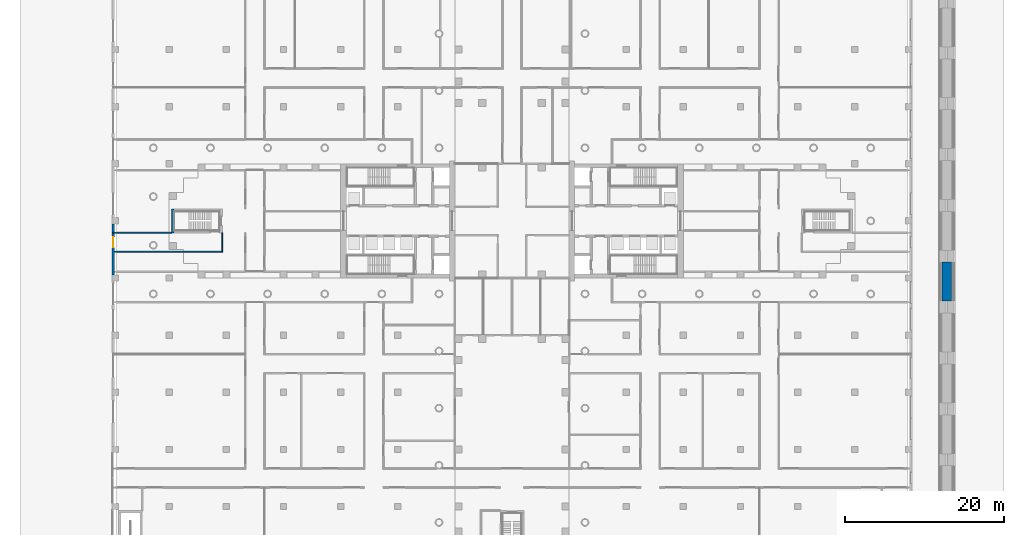
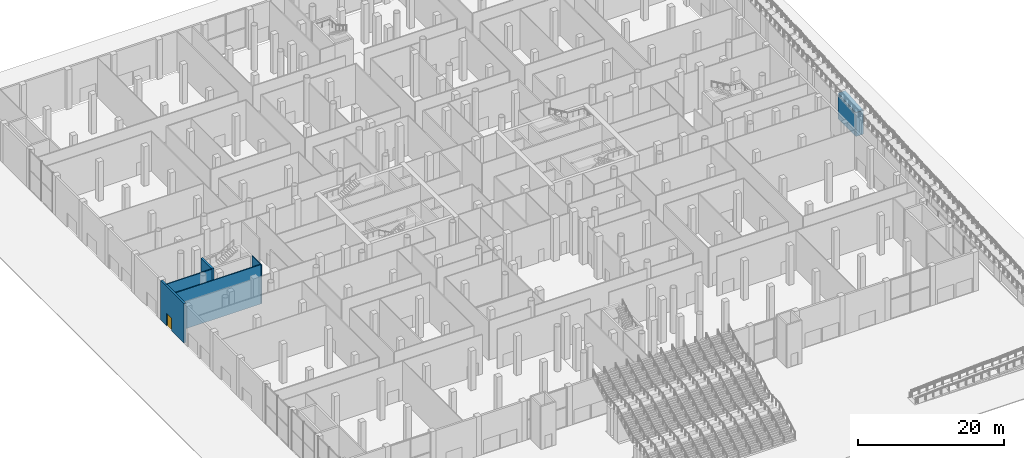
# One storey, part 21 of 44: 6 walls, 1 door, 1 opening.
"""IFC4 building model written with IfcOpenShell, lengths in metres."""

from ifc_helpers import new_model, si_unit, direction, frame, frame_2d, origin, place, context, subcontext, project, spatial, polyline, rectangle, outline, extrude, material, layer, layer_set, type_object, element, fill, save


model = new_model("IFC4")

# Units and contexts
model_context = context("Model", 3, precision=1e-05, world=origin(), true_north=direction((0.0, 1.0)))
body_context = subcontext(model_context, "Body", "Model", "MODEL_VIEW")
ifc_project = project(units=[si_unit("LENGTHUNIT", "METRE"), si_unit("AREAUNIT", "SQUARE_METRE"), si_unit("VOLUMEUNIT", "CUBIC_METRE"), si_unit("PLANEANGLEUNIT", "RADIAN"), si_unit("MASSUNIT", "GRAM", prefix="KILO")], contexts=[model_context])

# Site, building, storey
site_placement = place(None, origin())
site = spatial("IfcSite", under=ifc_project, at=site_placement, CompositionType="ELEMENT")
building_placement = place(site_placement, origin())
building = spatial("IfcBuilding", under=site, at=building_placement, Name="Fustian Cross Tower", CompositionType="ELEMENT")
storey_placement = place(building_placement, origin())
storey = spatial("IfcBuildingStorey", under=building, at=storey_placement, Name="L00", CompositionType="ELEMENT", Elevation=0.0)

# Walls
ifc_material_1 = material(Name="Plasterboard on steel stud", Category="steel")
ifc_layer_1 = layer(ifc_material_1, 0.14990234375)
ifc_layer_set_1 = layer_set([ifc_layer_1], Name="Plasterboard on steel stud")
wall_type_1 = type_object("IfcWallType", Name="COMPARTMENT WALL 150 EI 60", PredefinedType="PARTITIONING", material=ifc_layer_set_1)
wall_1_placement = place(storey_placement, frame((-50.219970703125, -3.89990234375, 0.0), z_axis=(0.0, 0.0, 1.0), x_axis=(1.0, 0.0, 0.0)))
element("IfcWall", 1, at=wall_1_placement, inside=storey, type_object=wall_type_1, Name="Partition 6", PredefinedType="PARTITIONING", context=body_context, shape_type="SweptSolid", body=[
    extrude(rectangle(XDim=13.64501953125, YDim=0.14990234375, at=frame_2d((6.822509765625, 0.0))), origin(), (0.0, 0.0, 1.0), 6.60009765625),
])
wall_2_placement = place(storey_placement, frame((-50.219970703125, -1.5, 0.0), z_axis=(0.0, 0.0, 1.0), x_axis=(1.0, 0.0, 0.0)))
element("IfcWall", 2, at=wall_2_placement, inside=storey, type_object=wall_type_1, Name="Partition 7", PredefinedType="PARTITIONING", context=body_context, shape_type="SweptSolid", body=[
    extrude(rectangle(XDim=7.320068359375, YDim=0.14990234375, at=frame_2d((3.66015625, 0.0))), origin(), (0.0, 0.0, 1.0), 6.60009765625),
])
wall_3_placement = place(storey_placement, frame((-36.5, -3.97509765625, 0.0), z_axis=(0.0, 0.0, 1.0), x_axis=(0.0, 1.0, 0.0)))
element("IfcWall", 3, at=wall_3_placement, inside=storey, type_object=wall_type_1, Name="Partition 17", PredefinedType="PARTITIONING", context=body_context, shape_type="SweptSolid", body=[
    extrude(rectangle(XDim=2.47509765625, YDim=0.14990234375, at=frame_2d((1.237548828125, 0.0))), origin(), (0.0, 0.0, 1.0), 6.60009765625),
])

# Wall, opening, door
ifc_material_2 = material(Name="Dark rainscreen cladding on blockwork", Category="masonry")
ifc_layer_2 = layer(ifc_material_2, 0.300048828125)
ifc_layer_set_2 = layer_set([ifc_layer_2], Name="Dark rainscreen cladding on blockwork")
wall_type_2 = type_object("IfcWallType", Name="EXTERNAL WALL 300 CLADDING", PredefinedType="SOLIDWALL", material=ifc_layer_set_2)
wall_4_placement = place(storey_placement, frame((-50.25, -0.39990234375, 0.0), z_axis=(0.0, 0.0, 1.0), x_axis=(0.0, -1.0, 0.0)))
wall_4 = element("IfcWall", 4, at=wall_4_placement, inside=storey, type_object=wall_type_2, Name="External wall W8", PredefinedType="SOLIDWALL", context=body_context, shape_type="SweptSolid", body=[
    extrude(rectangle(XDim=6.400146484375, YDim=0.300048828125, at=frame_2d((3.2001953125, 0.0))), origin(), (0.0, 0.0, 1.0), 6.60009765625),
])
opening_placement = place(wall_4_placement, frame((1.64990234375, 0.0, 0.0)))
opening = element("IfcOpeningElement", 5, at=opening_placement, cuts=wall_4, Name="Opening EDP49", PredefinedType="OPENING", context=body_context, shape_type="SweptSolid", body=[
    extrude(rectangle(XDim=1.300048828125, YDim=2.10009765625, at=frame_2d((0.64990234375, 1.050048828125))), frame((0.0, 0.159912109375, 0.0), z_axis=(0.0, -1.0, 0.0), x_axis=(1.0, 0.0, 0.0)), (0.0, 0.0, 1.0), 0.320068359375),
])
ifc_material_3 = material(Name="Aluminium and glass", Category="aluminium")
door_type = type_object("IfcDoorType", Name="EXIT DOOR 1300", OperationType="SINGLE_SWING_LEFT", PredefinedType="DOOR", material=ifc_material_3)
door_placement = place(opening_placement, frame((1.300048828125, 0.0, 0.0), z_axis=(0.0, 0.0, 1.0), x_axis=(-1.0, 0.0, 0.0)))
door = element("IfcDoor", 6, at=door_placement, inside=storey, type_object=door_type, Name="Exit door 49", OperationType="SINGLE_SWING_LEFT", OverallHeight=2.10009765625, OverallWidth=1.300048828125, PredefinedType="DOOR", context=body_context, shape_type="SweptSolid", body=[
    extrude(rectangle(XDim=1.300048828125, YDim=2.10009765625, at=frame_2d((0.64990234375, 1.050048828125))), frame((0.0, 0.02490234375, 0.0), z_axis=(0.0, -1.0, 0.0), x_axis=(1.0, 0.0, 0.0)), (0.0, 0.0, 1.0), 0.050048828125),
])
fill(opening, door)

# Walls
ifc_material_4 = material(Name="Concrete C40/50", Category="concrete")
ifc_layer_3 = layer(ifc_material_4, 1.199951171875)
ifc_layer_set_3 = layer_set([ifc_layer_3], Name="Concrete C40/50")
wall_type_3 = type_object("IfcWallType", Name="RAMP BANK WALL 1200", PredefinedType="SOLIDWALL", material=ifc_layer_set_3)
wall_5_placement = place(storey_placement, frame((54.800048828125, -10.1181640625, 0.0), z_axis=(0.0, 0.0, 1.0), x_axis=(0.0, 1.0, 0.0)))
element("IfcWall", 7, at=wall_5_placement, inside=storey, type_object=wall_type_3, Name="Ramp bank wall 14", PredefinedType="SOLIDWALL", context=body_context, shape_type="SweptSolid", body=[
    extrude(outline(polyline([(0.0, 0.0), (4.9091796875, 0.0), (4.9091796875, 4.331298828125), (0.0, 4.00390625), (0.0, 0.0)])), frame((0.0, 0.60009765625, 0.0), z_axis=(0.0, -1.0, 0.0), x_axis=(1.0, 0.0, 0.0)), (0.0, 0.0, 1.0), 1.199951171875),
])
ifc_material_5 = material(Name="Concrete C50/60", Category="concrete")
ifc_layer_4 = layer(ifc_material_5, 0.300048828125)
ifc_layer_set_4 = layer_set([ifc_layer_4], Name="Concrete C50/60")
wall_type_4 = type_object("IfcWallType", Name="STAIR ENCLOSURE WALL 300 C50/60", PredefinedType="SHEAR", material=ifc_layer_set_4)
wall_6_placement = place(storey_placement, frame((-42.75, -1.5, 0.0), z_axis=(0.0, 0.0, 1.0), x_axis=(0.0, 1.0, 0.0)))
element("IfcWall", 8, at=wall_6_placement, inside=storey, type_object=wall_type_4, Name="Stair enclosure wall", PredefinedType="SHEAR", context=body_context, shape_type="SweptSolid", body=[
    extrude(rectangle(XDim=3.0, YDim=0.300048828125, at=frame_2d((1.5, 0.0))), origin(), (0.0, 0.0, 1.0), 6.60009765625),
])

save(model, "model.ifc")
